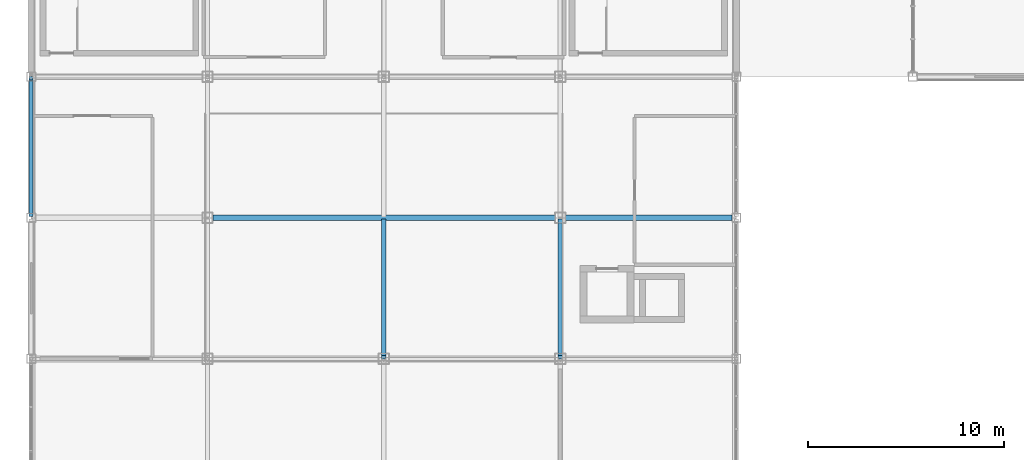
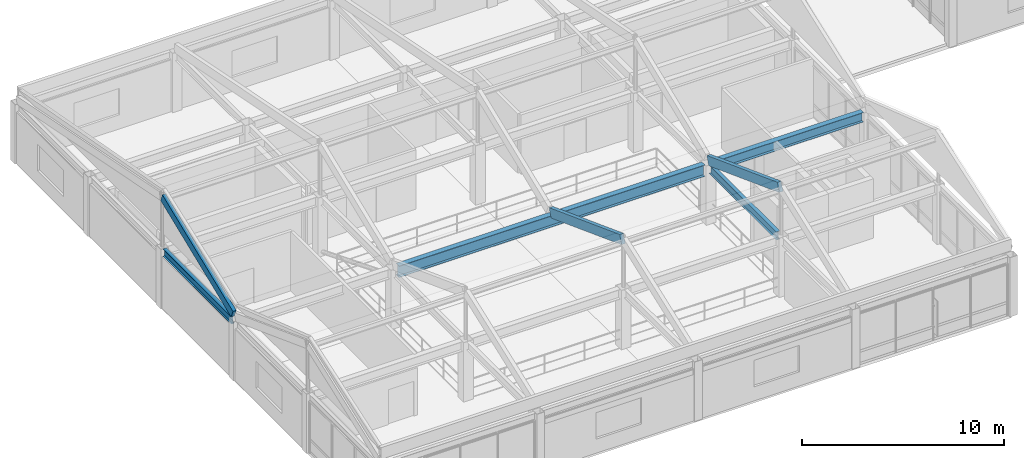
# One storey, part 16 of 113: 4 beams, 3 members.
"""IFC4 building model written with IfcOpenShell, lengths in metres."""

from ifc_helpers import new_model, si_unit, direction, frame, origin, origin_2d, place, context, subcontext, project, spatial, rectangle, i_section, extrude, material, material_profile, profile_set, type_object, element, save


model = new_model("IFC4")

# Units and contexts
model_context = context("Model", 3, precision=1e-05, world=origin(), true_north=direction((0.0, 1.0)))
body_context = subcontext(model_context, "Body", "Model", "MODEL_VIEW")
ifc_project = project(units=[si_unit("LENGTHUNIT", "METRE"), si_unit("AREAUNIT", "SQUARE_METRE"), si_unit("VOLUMEUNIT", "CUBIC_METRE"), si_unit("PLANEANGLEUNIT", "RADIAN"), si_unit("MASSUNIT", "GRAM", prefix="KILO")], contexts=[model_context])

# Site, building, storey
site_placement = place(None, origin())
site = spatial("IfcSite", under=ifc_project, at=site_placement, CompositionType="ELEMENT")
building_placement = place(site_placement, origin())
building = spatial("IfcBuilding", under=site, at=building_placement, Name="Kazanami Central Library", CompositionType="ELEMENT")
storey_placement = place(building_placement, frame((0.0, 0.0, 8.800048828125)))
storey = spatial("IfcBuildingStorey", under=building, at=storey_placement, Name="L03", CompositionType="ELEMENT", Elevation=8.800048828125)

# Beams
ifc_material_1 = material(Name="Steel SN490B (325 MPa)", Category="steel")
ifc_material_profile_1 = material_profile(ifc_material_1, i_section(OverallWidth=0.300048828125, OverallDepth=0.699951171875, WebThickness=0.012939453125, FlangeThickness=0.02392578125, at=origin_2d()), Name="H-700x300x13x24")
ifc_profile_set_1 = profile_set([ifc_material_profile_1], Name="Steel SN490B (325 MPa)")
beam_type_1 = type_object("IfcBeamType", Name="BM-G-AT", PredefinedType="BEAM", material=ifc_profile_set_1)
beam_1_placement = place(storey_placement, frame((9.27294921875, 14.39990234375, 3.22998046875), z_axis=(1.0, 0.0, 0.0), x_axis=(0.0, 1.0, 0.0)))
element("IfcBeam", 1, at=beam_1_placement, inside=storey, type_object=beam_type_1, Name="Auditorium Clear-Span Girder G-AT L03", PredefinedType="BEAM", context=body_context, shape_type="SweptSolid", body=[
    extrude(i_section(OverallWidth=0.300048828125, OverallDepth=0.699951171875, WebThickness=0.012939453125, FlangeThickness=0.02392578125, at=origin_2d()), origin(), (0.0, 0.0, 1.0), 17.4541015625),
])
ifc_material_profile_2 = material_profile(ifc_material_1, i_section(OverallWidth=0.300048828125, OverallDepth=0.587890625, WebThickness=0.011962890625, FlangeThickness=0.02001953125, at=origin_2d()), Name="H-588x300x12x20")
ifc_profile_set_2 = profile_set([ifc_material_profile_2], Name="Steel SN490B (325 MPa)")
beam_type_2 = type_object("IfcBeamType", Name="BM-G-X2", PredefinedType="BEAM", material=ifc_profile_set_2)
beam_2_placement = place(storey_placement, frame((27.27294921875, 14.39990234375, 3.285888671875), z_axis=(1.0, 0.0, 0.0), x_axis=(0.0, 1.0, 0.0)))
element("IfcBeam", 2, at=beam_2_placement, inside=storey, type_object=beam_type_2, Name="Girder G-X2 L03 C/4-5", PredefinedType="BEAM", context=body_context, shape_type="SweptSolid", body=[
    extrude(i_section(OverallWidth=0.300048828125, OverallDepth=0.587890625, WebThickness=0.011962890625, FlangeThickness=0.02001953125, at=origin_2d()), origin(), (0.0, 0.0, 1.0), 8.504150390625),
])
ifc_material_profile_3 = material_profile(ifc_material_1, i_section(OverallWidth=0.199951171875, OverallDepth=0.5, WebThickness=0.010009765625, FlangeThickness=0.01611328125, at=origin_2d()), Name="H-500x200x10x16")
ifc_profile_set_3 = profile_set([ifc_material_profile_3], Name="Steel SN490B (325 MPa)")
beam_type_3 = type_object("IfcBeamType", Name="BM-G-Y2", PredefinedType="BEAM", material=ifc_profile_set_3)
beam_3_placement = place(storey_placement, frame((27.0, 7.472900390625, 3.329833984375), z_axis=(0.0, 1.0, 0.0), x_axis=(-1.0, 0.0, 0.0)))
element("IfcBeam", 3, at=beam_3_placement, inside=storey, type_object=beam_type_3, Name="Girder G-Y2 L03 4/B-C", PredefinedType="BEAM", context=body_context, shape_type="SweptSolid", body=[
    extrude(i_section(OverallWidth=0.199951171875, OverallDepth=0.5, WebThickness=0.010009765625, FlangeThickness=0.01611328125, at=origin_2d()), origin(), (0.0, 0.0, 1.0), 6.654052734375),
])
ifc_material_profile_4 = material_profile(ifc_material_1, i_section(OverallWidth=0.199951171875, OverallDepth=0.449951171875, WebThickness=0.009033203125, FlangeThickness=0.013916015625, at=origin_2d()), Name="H-450x200x9x14")
ifc_profile_set_4 = profile_set([ifc_material_profile_4], Name="Steel SN490B (325 MPa)")
beam_type_4 = type_object("IfcBeamType", Name="BM-SP-2", PredefinedType="SPANDREL", material=ifc_profile_set_4)
beam_4_placement = place(storey_placement, frame((0.0, 14.623046875, 3.35498046875), z_axis=(0.0, 1.0, 0.0), x_axis=(-1.0, 0.0, 0.0)))
element("IfcBeam", 4, at=beam_4_placement, inside=storey, type_object=beam_type_4, Name="Girder SP-2 L03 1/C-D", PredefinedType="SPANDREL", context=body_context, shape_type="SweptSolid", body=[
    extrude(i_section(OverallWidth=0.199951171875, OverallDepth=0.449951171875, WebThickness=0.009033203125, FlangeThickness=0.013916015625, at=origin_2d()), origin(), (0.0, 0.0, 1.0), 6.75390625),
])

# Members
ifc_material_2 = material(Name="Glulam GL28h (28 MPa)", Category="wood")
ifc_material_profile_5 = material_profile(ifc_material_2, rectangle(XDim=0.219970703125, YDim=0.5400390625, at=origin_2d()), Name="GL28h-220x540")
ifc_profile_set_5 = profile_set([ifc_material_profile_5], Name="Glulam GL28h (28 MPa)")
member_type_1 = type_object("IfcMemberType", Name="MEM-GL-01", PredefinedType="RAFTER", material=ifc_profile_set_5)
for number, where, z_axis, x_axis, name in (
    (5, (18.0, 14.25, 3.780029296875), (0.0, -0.936500272319, 0.350666850366), (1.0, 0.0, 0.0), "Glulam Timber Shell Rafter GL-01 FOLD-L03-V3-S Grid 3 North"),
    (6, (27.0, 14.25, 3.780029296875), (0.0, -0.936500272319, 0.350666850366), (1.0, 0.0, 0.0), "Glulam Timber Shell Rafter GL-01 FOLD-L03-V3-S Grid 4 North"),
):
    element("IfcMember", number, at=place(storey_placement, frame(where, z_axis=z_axis, x_axis=x_axis)), inside=storey, type_object=member_type_1, Name=name, PredefinedType="RAFTER", context=body_context, shape_type="SweptSolid", body=[
        extrude(rectangle(XDim=0.219970703125, YDim=0.5400390625, at=origin_2d()), origin(), (0.0, 0.0, 1.0), 7.442626953125),
    ])
ifc_material_profile_6 = material_profile(ifc_material_2, rectangle(XDim=0.199951171875, YDim=0.47998046875, at=origin_2d()), Name="GL28h-200x480")
ifc_profile_set_6 = profile_set([ifc_material_profile_6], Name="Glulam GL28h (28 MPa)")
member_type_2 = type_object("IfcMemberType", Name="MEM-GL-02", PredefinedType="RAFTER", material=ifc_profile_set_6)
member_placement = place(storey_placement, frame((0.0, 14.550048828125, 3.780029296875), z_axis=(0.0, 0.927471818786, 0.373893066742), x_axis=(-1.0, 0.0, 0.0)))
element("IfcMember", 7, at=member_placement, inside=storey, type_object=member_type_2, Name="Glulam Timber Shell Rafter GL-02 FOLD-L03-V3-N Grid 1 South", PredefinedType="RAFTER", context=body_context, shape_type="SweptSolid", body=[
    extrude(rectangle(XDim=0.199951171875, YDim=0.47998046875, at=origin_2d()), origin(), (0.0, 0.0, 1.0), 7.51513671875),
])

save(model, "model.ifc")
